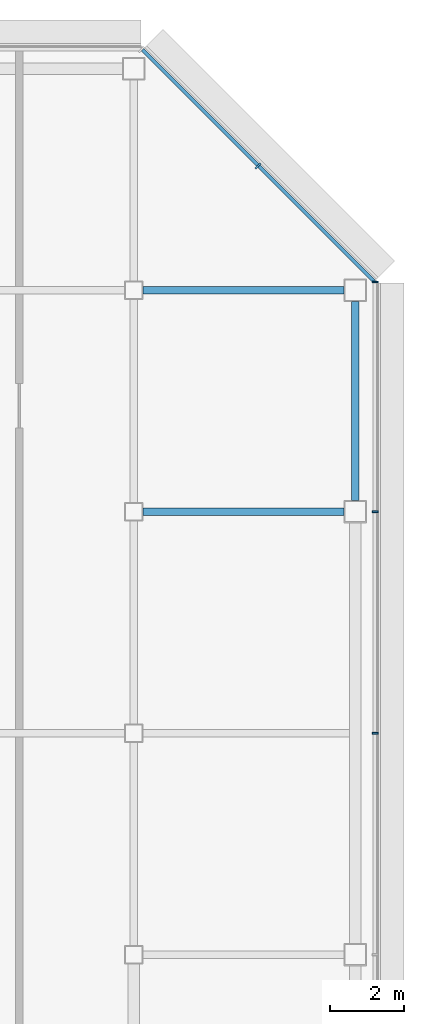
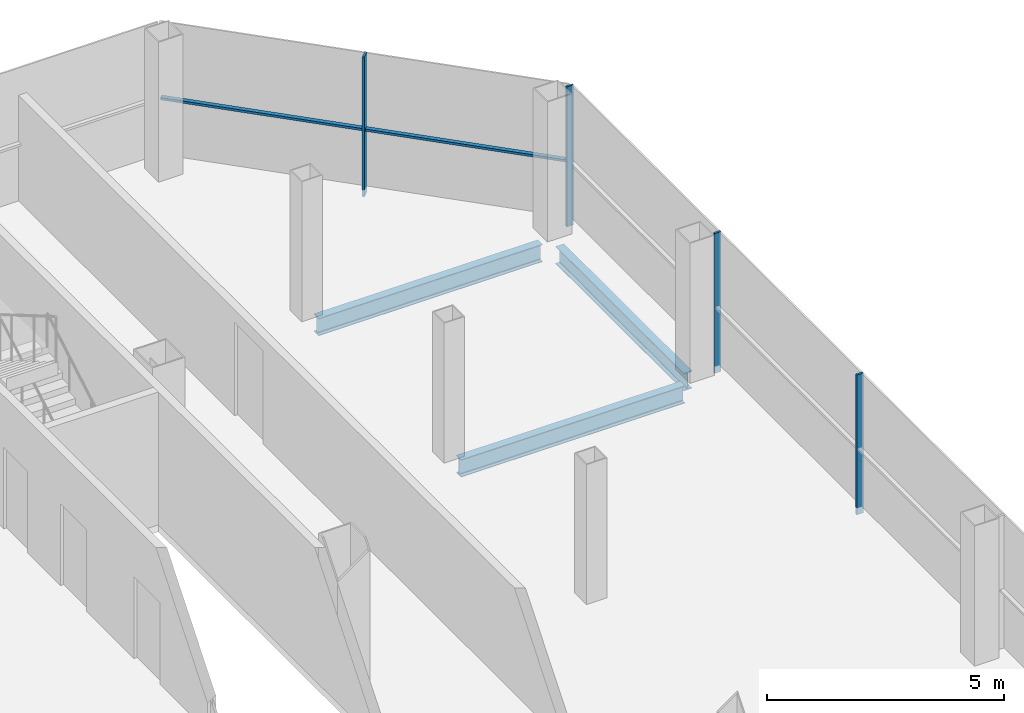
# One storey, part 19 of 28: 5 members, 3 beams, 2 elements without a shape of their own.
"""IFC4 building model written with IfcOpenShell, lengths in metres."""

from ifc_helpers import new_model, si_unit, direction, frame, origin, origin_2d, place, context, subcontext, project, spatial, rectangle, i_section, extrude, material, material_profile, profile_set, type_object, element, aggregate, save


model = new_model("IFC4")

# Units and contexts
model_context = context("Model", 3, precision=1e-05, world=origin(), true_north=direction((0.0, 1.0)))
body_context = subcontext(model_context, "Body", "Model", "MODEL_VIEW")
ifc_project = project(units=[si_unit("LENGTHUNIT", "METRE"), si_unit("AREAUNIT", "SQUARE_METRE"), si_unit("VOLUMEUNIT", "CUBIC_METRE"), si_unit("PLANEANGLEUNIT", "RADIAN"), si_unit("MASSUNIT", "GRAM", prefix="KILO")], contexts=[model_context])

# Site, building, storey
site_placement = place(None, origin())
site = spatial("IfcSite", under=ifc_project, at=site_placement, CompositionType="ELEMENT")
building_placement = place(site_placement, origin())
building = spatial("IfcBuilding", under=site, at=building_placement, Name="Sorahane Residences", CompositionType="ELEMENT")
storey_placement = place(building_placement, frame((0.0, 0.0, 270.199951171875)))
storey = spatial("IfcBuildingStorey", under=building, at=storey_placement, Name="L64", CompositionType="ELEMENT", Elevation=270.199951171875)

# Curtain wall, members
ifc_material_1 = material(Name="Dark low-e glass and black anodised aluminium", Category="aluminium")
curtain_wall_type_1 = type_object("IfcCurtainWallType", Name="Curtain wall CW-1 Typical unitised wall", PredefinedType="NOTDEFINED", material=ifc_material_1)
curtain_wall_1_placement = place(storey_placement, origin())
curtain_wall_1 = element("IfcCurtainWall", 1, at=curtain_wall_1_placement, inside=storey, type_object=curtain_wall_type_1, Name="CW-1 curtain wall L64 E1", PredefinedType="NOTDEFINED")
ifc_material_2 = material(Name="Black anodised aluminium", Category="aluminium")
ifc_material_profile_1 = material_profile(ifc_material_2, rectangle(XDim=0.159912109375, YDim=0.050048828125, at=origin_2d()), Name="Curtain wall mullion CW-1 black anodised aluminium 50x160")
ifc_profile_set_1 = profile_set([ifc_material_profile_1], Name="Black anodised aluminium")
member_type_1 = type_object("IfcMemberType", Name="Curtain wall mullion CW-1 black anodised aluminium 50x160", PredefinedType="MULLION", material=ifc_profile_set_1)
member_1_placement = place(storey_placement, frame((54.5400390625, 30.0, -0.179931640625), z_axis=(0.0, 0.0, 1.0), x_axis=(1.0, 0.0, 0.0)))
member_1 = element("IfcMember", 2, at=member_1_placement, type_object=member_type_1, Name="CW-1 mullion L64 E1.5", PredefinedType="MULLION", context=body_context, shape_type="SweptSolid", body=[
    extrude(rectangle(XDim=0.159912109375, YDim=0.050048828125, at=origin_2d()), origin(), (0.0, 0.0, 1.0), 3.60009765625),
])
member_2_placement = place(storey_placement, frame((54.5400390625, 36.0, -0.179931640625), z_axis=(0.0, 0.0, 1.0), x_axis=(1.0, 0.0, 0.0)))
member_2 = element("IfcMember", 3, at=member_2_placement, type_object=member_type_1, Name="CW-1 mullion L64 E1.6", PredefinedType="MULLION", context=body_context, shape_type="SweptSolid", body=[
    extrude(rectangle(XDim=0.159912109375, YDim=0.050048828125, at=origin_2d()), origin(), (0.0, 0.0, 1.0), 3.60009765625),
])
member_3_placement = place(storey_placement, frame((54.5400390625, 42.2236328125, -0.179931640625), z_axis=(0.0, 0.0, 1.0), x_axis=(1.0, 0.0, 0.0)))
member_3 = element("IfcMember", 4, at=member_3_placement, type_object=member_type_1, Name="CW-1 mullion L64 E1.7", PredefinedType="MULLION", context=body_context, shape_type="SweptSolid", body=[
    extrude(rectangle(XDim=0.159912109375, YDim=0.050048828125, at=origin_2d()), origin(), (0.0, 0.0, 1.0), 3.60009765625),
])
aggregate(curtain_wall_1, [member_1, member_2, member_3])

ifc_material_3 = material(Name="Dark low-e glass and black anodised aluminium", Category="aluminium")
curtain_wall_type_2 = type_object("IfcCurtainWallType", Name="Curtain wall CW-2 Chamfer unitised wall", PredefinedType="NOTDEFINED", material=ifc_material_3)
curtain_wall_2_placement = place(storey_placement, origin())
curtain_wall_2 = element("IfcCurtainWall", 5, at=curtain_wall_2_placement, inside=storey, type_object=curtain_wall_type_2, Name="CW-2 curtain wall L64 NE1", PredefinedType="NOTDEFINED")
ifc_material_4 = material(Name="Black anodised aluminium", Category="aluminium")
ifc_material_profile_2 = material_profile(ifc_material_4, rectangle(XDim=0.199951171875, YDim=0.050048828125, at=origin_2d()), Name="Curtain wall mullion CW-2 black anodised aluminium 50x200")
ifc_profile_set_2 = profile_set([ifc_material_profile_2], Name="Black anodised aluminium")
member_type_2 = type_object("IfcMemberType", Name="Curtain wall mullion CW-2 black anodised aluminium 50x200", PredefinedType="MULLION", material=ifc_profile_set_2)
member_4_placement = place(storey_placement, frame((51.36767578125, 45.36767578125, -0.179931640625), z_axis=(0.0, 0.0, 1.0), x_axis=(0.707106781187, 0.707106781187, 0.0)))
member_4 = element("IfcMember", 6, at=member_4_placement, type_object=member_type_2, Name="CW-2 mullion L64 NE1.2", PredefinedType="MULLION", context=body_context, shape_type="SweptSolid", body=[
    extrude(rectangle(XDim=0.199951171875, YDim=0.050048828125, at=origin_2d()), origin(), (0.0, 0.0, 1.0), 3.60009765625),
])
ifc_material_5 = material(Name="Black anodised aluminium", Category="aluminium")
ifc_material_profile_3 = material_profile(ifc_material_5, rectangle(XDim=0.10009765625, YDim=0.06005859375, at=origin_2d()), Name="Curtain wall transom CW-2 black anodised aluminium 60x100")
ifc_profile_set_3 = profile_set([ifc_material_profile_3], Name="Black anodised aluminium")
member_type_3 = type_object("IfcMemberType", Name="Curtain wall transom CW-2 black anodised aluminium 60x100", PredefinedType="USERDEFINED", material=ifc_profile_set_3)
member_5_placement = place(storey_placement, frame((54.51513671875, 42.234375, 1.5), z_axis=(-0.707106781187, 0.707106781187, 0.0), x_axis=(-0.707106781187, -0.707106781187, 0.0)))
member_5 = element("IfcMember", 7, at=member_5_placement, type_object=member_type_3, Name="CW-2 transom L64 NE1", ObjectType="TRANSOM", PredefinedType="USERDEFINED", context=body_context, shape_type="SweptSolid", body=[
    extrude(rectangle(XDim=0.10009765625, YDim=0.06005859375, at=origin_2d()), origin(), (0.0, 0.0, 1.0), 8.88232421875),
])
aggregate(curtain_wall_2, [member_4, member_5])

# Beams
ifc_material_6 = material(Name="Steel Q355B", Category="steel")
ifc_material_profile_4 = material_profile(ifc_material_6, i_section(OverallWidth=0.199951171875, OverallDepth=0.449951171875, WebThickness=0.009033203125, FlangeThickness=0.013916015625, FilletRadius=0.02001953125, at=origin_2d()), Name="HN 450x200x9x14")
ifc_profile_set_4 = profile_set([ifc_material_profile_4], Name="Steel Q355B")
beam_type = type_object("IfcBeamType", Name="Steel floor beam HN 450x200x9x14 Q355B", PredefinedType="BEAM", material=ifc_profile_set_4)
beam_1_placement = place(storey_placement, frame((48.25, 36.0, -0.405029296875), z_axis=(1.0, 0.0, 0.0), x_axis=(0.0, 1.0, 0.0)))
element("IfcBeam", 8, at=beam_1_placement, inside=storey, type_object=beam_type, Name="Beam L64 014", PredefinedType="BEAM", context=body_context, shape_type="SweptSolid", body=[
    extrude(i_section(OverallWidth=0.199951171875, OverallDepth=0.449951171875, WebThickness=0.009033203125, FlangeThickness=0.013916015625, FilletRadius=0.02001953125, at=origin_2d()), origin(), (0.0, 0.0, 1.0), 5.449951171875),
])
beam_2_placement = place(storey_placement, frame((54.0, 36.300048828125, -0.405029296875), z_axis=(0.0, 1.0, 0.0), x_axis=(-1.0, 0.0, 0.0)))
element("IfcBeam", 9, at=beam_2_placement, inside=storey, type_object=beam_type, Name="Beam L64 067", PredefinedType="BEAM", context=body_context, shape_type="SweptSolid", body=[
    extrude(i_section(OverallWidth=0.199951171875, OverallDepth=0.449951171875, WebThickness=0.009033203125, FlangeThickness=0.013916015625, FilletRadius=0.02001953125, at=origin_2d()), origin(), (0.0, 0.0, 1.0), 5.39990234375),
])
beam_3_placement = place(storey_placement, frame((48.25, 42.0, -0.405029296875), z_axis=(1.0, 0.0, 0.0), x_axis=(0.0, 1.0, 0.0)))
element("IfcBeam", 10, at=beam_3_placement, inside=storey, type_object=beam_type, Name="Beam L64 092", PredefinedType="BEAM", context=body_context, shape_type="SweptSolid", body=[
    extrude(i_section(OverallWidth=0.199951171875, OverallDepth=0.449951171875, WebThickness=0.009033203125, FlangeThickness=0.013916015625, FilletRadius=0.02001953125, at=origin_2d()), origin(), (0.0, 0.0, 1.0), 5.449951171875),
])

save(model, "model.ifc")
